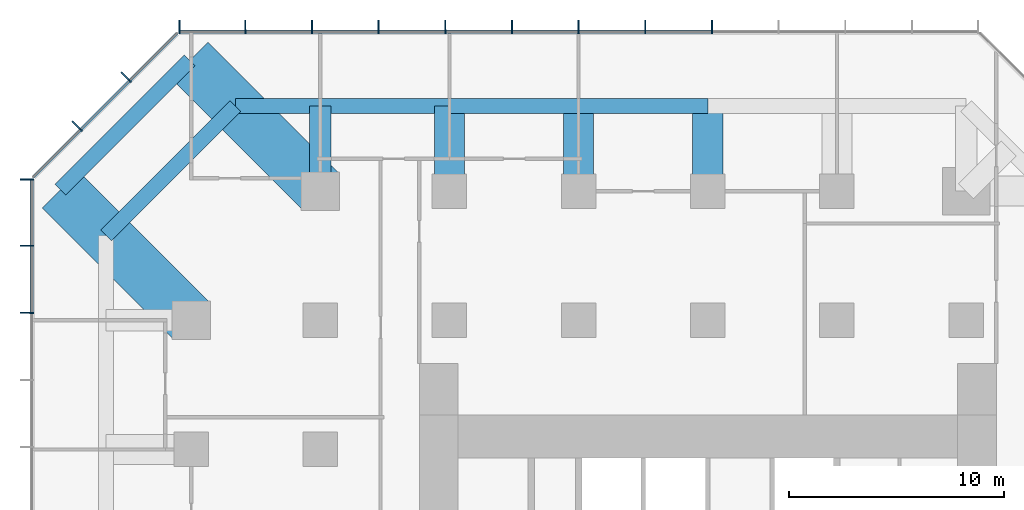
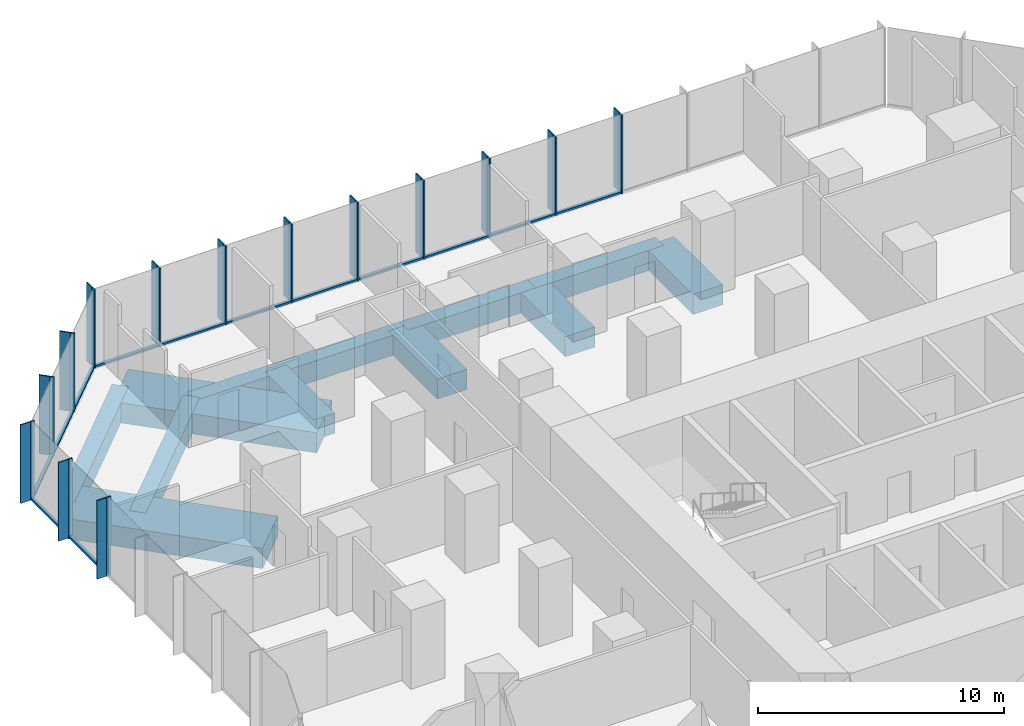
# One storey, part 5 of 11: 41 members, 11 beams, 3 elements without a shape of their own.
"""IFC4 building model written with IfcOpenShell, lengths in metres."""

from ifc_helpers import new_model, si_unit, direction, frame, origin, origin_2d, place, context, subcontext, project, spatial, rectangle, extrude, material, layer, layer_set, material_profile, profile_set, type_object, element, aggregate, save


model = new_model("IFC4")

# Units and contexts
model_context = context("Model", 3, precision=1e-05, world=origin(), true_north=direction((0.0, 1.0)))
body_context = subcontext(model_context, "Body", "Model", "MODEL_VIEW")
ifc_project = project(units=[si_unit("LENGTHUNIT", "METRE"), si_unit("AREAUNIT", "SQUARE_METRE"), si_unit("VOLUMEUNIT", "CUBIC_METRE"), si_unit("PLANEANGLEUNIT", "RADIAN"), si_unit("MASSUNIT", "GRAM", prefix="KILO")], contexts=[model_context])

# Site, building, storey
site_placement = place(None, origin())
site = spatial("IfcSite", under=ifc_project, at=site_placement, CompositionType="ELEMENT")
building_placement = place(site_placement, origin())
building = spatial("IfcBuilding", under=site, at=building_placement, Name="Highveld Stack Headquarters", CompositionType="ELEMENT")
storey_placement = place(building_placement, frame((0.0, 0.0, 105.5)))
storey = spatial("IfcBuildingStorey", under=building, at=storey_placement, Name="L25", CompositionType="ELEMENT", Elevation=105.5)

# Beams
ifc_material_1 = material(Name="Concrete C60/75", Category="concrete")
ifc_material_profile_1 = material_profile(ifc_material_1, rectangle(XDim=1.0, YDim=1.0, at=origin_2d()), Name="RC 1000x1000")
ifc_profile_set_1 = profile_set([ifc_material_profile_1], Name="Concrete C60/75")
beam_type_1 = type_object("IfcBeamType", Name="CANTILEVER RIB RC 1000x1000", PredefinedType="USERDEFINED", material=ifc_profile_set_1)
beam_1_placement = place(storey_placement, frame((-12.0, 24.0, -0.75), z_axis=(0.0, 1.0, 0.0), x_axis=(-1.0, 0.0, 0.0)))
element("IfcBeam", 1, at=beam_1_placement, inside=storey, type_object=beam_type_1, Name="Cantilever rib 4/J L25", ObjectType="CANTILEVER RIB", PredefinedType="USERDEFINED", context=body_context, shape_type="SweptSolid", body=[
    extrude(rectangle(XDim=1.0, YDim=1.0, at=origin_2d()), origin(), (0.0, 0.0, 1.0), 3.949951171875),
])
ifc_material_2 = material(Name="Concrete C60/75", Category="concrete")
ifc_material_profile_2 = material_profile(ifc_material_2, rectangle(XDim=1.39990234375, YDim=1.0, at=origin_2d()), Name="RC 1400x1000")
ifc_profile_set_2 = profile_set([ifc_material_profile_2], Name="Concrete C60/75")
beam_type_2 = type_object("IfcBeamType", Name="CANTILEVER RIB RC 1400x1000", PredefinedType="USERDEFINED", material=ifc_profile_set_2)
for number, where, z_axis, x_axis, name in (
    (2, (-6.0, 24.0, -0.75), (0.0, 1.0, 0.0), (-1.0, 0.0, 0.0), "Cantilever rib 5/J L25"),
    (3, (0.0, 24.0, -0.75), (0.0, 1.0, 0.0), (-1.0, 0.0, 0.0), "Cantilever rib 6/J L25"),
    (4, (6.0, 24.0, -0.75), (0.0, 1.0, 0.0), (-1.0, 0.0, 0.0), "Cantilever rib 7/J L25"),
):
    element("IfcBeam", number, at=place(storey_placement, frame(where, z_axis=z_axis, x_axis=x_axis)), inside=storey, type_object=beam_type_2, Name=name, ObjectType="CANTILEVER RIB", PredefinedType="USERDEFINED", context=body_context, shape_type="SweptSolid", body=[
        extrude(rectangle(XDim=1.39990234375, YDim=1.0, at=origin_2d()), origin(), (0.0, 0.0, 1.0), 3.949951171875),
    ])
ifc_material_3 = material(Name="Concrete C60/75", Category="concrete")
ifc_material_profile_3 = material_profile(ifc_material_3, rectangle(XDim=2.39990234375, YDim=1.0, at=origin_2d()), Name="RC 2400x1000")
ifc_profile_set_3 = profile_set([ifc_material_profile_3], Name="Concrete C60/75")
beam_type_3 = type_object("IfcBeamType", Name="CANTILEVER RIB RC 2400x1000", PredefinedType="USERDEFINED", material=ifc_profile_set_3)
for number, where, z_axis, x_axis, name in (
    (5, (-18.0, 18.0, -0.75), (-0.707106781187, 0.707106781187, 0.0), (-0.707106781187, -0.707106781187, 0.0), "Cantilever rib 3/H L25"),
    (6, (-12.0, 24.0, -0.75), (-0.707106781187, 0.707106781187, 0.0), (-0.707106781187, -0.707106781187, 0.0), "Cantilever rib 4/J L25"),
):
    element("IfcBeam", number, at=place(storey_placement, frame(where, z_axis=z_axis, x_axis=x_axis)), inside=storey, type_object=beam_type_3, Name=name, ObjectType="CANTILEVER RIB", PredefinedType="USERDEFINED", context=body_context, shape_type="SweptSolid", body=[
        extrude(rectangle(XDim=2.39990234375, YDim=1.0, at=origin_2d()), origin(), (0.0, 0.0, 1.0), 8.585693359375),
    ])

# Curtain wall, members
ifc_material_4 = material(Name="Aluminium bronze anodised", Category="aluminium")
ifc_layer_1 = layer(ifc_material_4, 0.199951171875)
ifc_layer_set_1 = layer_set([ifc_layer_1], Name="Aluminium bronze anodised")
curtain_wall_type_1 = type_object("IfcCurtainWallType", Name="CW1 TOWER UNITISED CURTAIN WALL", PredefinedType="NOTDEFINED", material=ifc_layer_set_1)
curtain_wall_1_placement = place(storey_placement, origin())
curtain_wall_1 = element("IfcCurtainWall", 7, at=curtain_wall_1_placement, inside=storey, type_object=curtain_wall_type_1, Name="Curtain wall CW1 L25 N", PredefinedType="NOTDEFINED")
ifc_material_5 = material(Name="Aluminium bronze anodised", Category="aluminium")
ifc_material_profile_4 = material_profile(ifc_material_5, rectangle(XDim=0.449951171875, YDim=0.06005859375, at=origin_2d()), Name="FIN 450x60")
ifc_profile_set_4 = profile_set([ifc_material_profile_4], Name="Aluminium bronze anodised")
member_type_1 = type_object("IfcMemberType", Name="CW1 BRONZE FIN 450x60", PredefinedType="USERDEFINED", material=ifc_profile_set_4)
member_1_placement = place(storey_placement, frame((6.193359375, 31.72509765625, 0.0), z_axis=(0.0, 0.0, 1.0), x_axis=(0.0, -1.0, 0.0)))
member_1 = element("IfcMember", 8, at=member_1_placement, type_object=member_type_1, Name="CW1 fin L25 5", ObjectType="FIN", PredefinedType="USERDEFINED", context=body_context, shape_type="SweptSolid", body=[
    extrude(rectangle(XDim=0.449951171875, YDim=0.06005859375, at=origin_2d()), origin(), (0.0, 0.0, 1.0), 3.89990234375),
])
member_2_placement = place(storey_placement, frame((3.0966796875, 31.72509765625, 0.0), z_axis=(0.0, 0.0, 1.0), x_axis=(0.0, -1.0, 0.0)))
member_2 = element("IfcMember", 9, at=member_2_placement, type_object=member_type_1, Name="CW1 fin L25 6", ObjectType="FIN", PredefinedType="USERDEFINED", context=body_context, shape_type="SweptSolid", body=[
    extrude(rectangle(XDim=0.449951171875, YDim=0.06005859375, at=origin_2d()), origin(), (0.0, 0.0, 1.0), 3.89990234375),
])
member_3_placement = place(storey_placement, frame((0.0, 31.72509765625, 0.0), z_axis=(0.0, 0.0, 1.0), x_axis=(0.0, -1.0, 0.0)))
member_3 = element("IfcMember", 10, at=member_3_placement, type_object=member_type_1, Name="CW1 fin L25 7", ObjectType="FIN", PredefinedType="USERDEFINED", context=body_context, shape_type="SweptSolid", body=[
    extrude(rectangle(XDim=0.449951171875, YDim=0.06005859375, at=origin_2d()), origin(), (0.0, 0.0, 1.0), 3.89990234375),
])
member_4_placement = place(storey_placement, frame((-3.0966796875, 31.72509765625, 0.0), z_axis=(0.0, 0.0, 1.0), x_axis=(0.0, -1.0, 0.0)))
member_4 = element("IfcMember", 11, at=member_4_placement, type_object=member_type_1, Name="CW1 fin L25 8", ObjectType="FIN", PredefinedType="USERDEFINED", context=body_context, shape_type="SweptSolid", body=[
    extrude(rectangle(XDim=0.449951171875, YDim=0.06005859375, at=origin_2d()), origin(), (0.0, 0.0, 1.0), 3.89990234375),
])
member_5_placement = place(storey_placement, frame((-6.193359375, 31.72509765625, 0.0), z_axis=(0.0, 0.0, 1.0), x_axis=(0.0, -1.0, 0.0)))
member_5 = element("IfcMember", 12, at=member_5_placement, type_object=member_type_1, Name="CW1 fin L25 9", ObjectType="FIN", PredefinedType="USERDEFINED", context=body_context, shape_type="SweptSolid", body=[
    extrude(rectangle(XDim=0.449951171875, YDim=0.06005859375, at=origin_2d()), origin(), (0.0, 0.0, 1.0), 3.89990234375),
])
member_6_placement = place(storey_placement, frame((-9.2900390625, 31.72509765625, 0.0), z_axis=(0.0, 0.0, 1.0), x_axis=(0.0, -1.0, 0.0)))
member_6 = element("IfcMember", 13, at=member_6_placement, type_object=member_type_1, Name="CW1 fin L25 10", ObjectType="FIN", PredefinedType="USERDEFINED", context=body_context, shape_type="SweptSolid", body=[
    extrude(rectangle(XDim=0.449951171875, YDim=0.06005859375, at=origin_2d()), origin(), (0.0, 0.0, 1.0), 3.89990234375),
])
member_7_placement = place(storey_placement, frame((-12.38671875, 31.72509765625, 0.0), z_axis=(0.0, 0.0, 1.0), x_axis=(0.0, -1.0, 0.0)))
member_7 = element("IfcMember", 14, at=member_7_placement, type_object=member_type_1, Name="CW1 fin L25 11", ObjectType="FIN", PredefinedType="USERDEFINED", context=body_context, shape_type="SweptSolid", body=[
    extrude(rectangle(XDim=0.449951171875, YDim=0.06005859375, at=origin_2d()), origin(), (0.0, 0.0, 1.0), 3.89990234375),
])
member_8_placement = place(storey_placement, frame((-15.4833984375, 31.72509765625, 0.0), z_axis=(0.0, 0.0, 1.0), x_axis=(0.0, -1.0, 0.0)))
member_8 = element("IfcMember", 15, at=member_8_placement, type_object=member_type_1, Name="CW1 fin L25 12", ObjectType="FIN", PredefinedType="USERDEFINED", context=body_context, shape_type="SweptSolid", body=[
    extrude(rectangle(XDim=0.449951171875, YDim=0.06005859375, at=origin_2d()), origin(), (0.0, 0.0, 1.0), 3.89990234375),
])
member_9_placement = place(storey_placement, frame((-18.54736328125, 31.72509765625, 0.0), z_axis=(0.0, 0.0, 1.0), x_axis=(0.0, -1.0, 0.0)))
member_9 = element("IfcMember", 16, at=member_9_placement, type_object=member_type_1, Name="CW1 fin L25 13", ObjectType="FIN", PredefinedType="USERDEFINED", context=body_context, shape_type="SweptSolid", body=[
    extrude(rectangle(XDim=0.449951171875, YDim=0.06005859375, at=origin_2d()), origin(), (0.0, 0.0, 1.0), 3.89990234375),
])

curtain_wall_2_placement = place(storey_placement, origin())
curtain_wall_2 = element("IfcCurtainWall", 17, at=curtain_wall_2_placement, inside=storey, type_object=curtain_wall_type_1, Name="Curtain wall CW1 L25 W", PredefinedType="NOTDEFINED")
member_10_placement = place(storey_placement, frame((-25.72509765625, 24.54736328125, 0.0), z_axis=(0.0, 0.0, 1.0), x_axis=(1.0, 0.0, 0.0)))
member_10 = element("IfcMember", 18, at=member_10_placement, type_object=member_type_1, Name="CW1 fin L25 1", ObjectType="FIN", PredefinedType="USERDEFINED", context=body_context, shape_type="SweptSolid", body=[
    extrude(rectangle(XDim=0.449951171875, YDim=0.06005859375, at=origin_2d()), origin(), (0.0, 0.0, 1.0), 3.89990234375),
])
member_11_placement = place(storey_placement, frame((-25.72509765625, 21.4638671875, 0.0), z_axis=(0.0, 0.0, 1.0), x_axis=(1.0, 0.0, 0.0)))
member_11 = element("IfcMember", 19, at=member_11_placement, type_object=member_type_1, Name="CW1 fin L25 2", ObjectType="FIN", PredefinedType="USERDEFINED", context=body_context, shape_type="SweptSolid", body=[
    extrude(rectangle(XDim=0.449951171875, YDim=0.06005859375, at=origin_2d()), origin(), (0.0, 0.0, 1.0), 3.89990234375),
])
member_12_placement = place(storey_placement, frame((-25.72509765625, 18.347900390625, 0.0), z_axis=(0.0, 0.0, 1.0), x_axis=(1.0, 0.0, 0.0)))
member_12 = element("IfcMember", 20, at=member_12_placement, type_object=member_type_1, Name="CW1 fin L25 3", ObjectType="FIN", PredefinedType="USERDEFINED", context=body_context, shape_type="SweptSolid", body=[
    extrude(rectangle(XDim=0.449951171875, YDim=0.06005859375, at=origin_2d()), origin(), (0.0, 0.0, 1.0), 3.89990234375),
])

# Member
ifc_material_6 = material(Name="Aluminium bronze anodised", Category="aluminium")
ifc_material_profile_5 = material_profile(ifc_material_6, rectangle(XDim=0.199951171875, YDim=0.06494140625, at=origin_2d()), Name="CW1 MULLION 65x200")
ifc_profile_set_5 = profile_set([ifc_material_profile_5], Name="Aluminium bronze anodised")
member_type_2 = type_object("IfcMemberType", Name="CW1 MULLION 65x200", PredefinedType="MULLION", material=ifc_profile_set_5)
member_13_placement = place(storey_placement, frame((6.193359375, 31.39990234375, 0.0), z_axis=(0.0, 0.0, 1.0), x_axis=(0.0, -1.0, 0.0)))
member_13 = element("IfcMember", 21, at=member_13_placement, type_object=member_type_2, Name="CW1 mullion L25 5", PredefinedType="MULLION", context=body_context, shape_type="SweptSolid", body=[
    extrude(rectangle(XDim=0.199951171875, YDim=0.06494140625, at=origin_2d()), origin(), (0.0, 0.0, 1.0), 3.89990234375),
])

member_14_placement = place(storey_placement, frame((3.0966796875, 31.39990234375, 0.0), z_axis=(0.0, 0.0, 1.0), x_axis=(0.0, -1.0, 0.0)))
member_14 = element("IfcMember", 22, at=member_14_placement, type_object=member_type_2, Name="CW1 mullion L25 6", PredefinedType="MULLION", context=body_context, shape_type="SweptSolid", body=[
    extrude(rectangle(XDim=0.199951171875, YDim=0.06494140625, at=origin_2d()), origin(), (0.0, 0.0, 1.0), 3.89990234375),
])

member_15_placement = place(storey_placement, frame((0.0, 31.39990234375, 0.0), z_axis=(0.0, 0.0, 1.0), x_axis=(0.0, -1.0, 0.0)))
member_15 = element("IfcMember", 23, at=member_15_placement, type_object=member_type_2, Name="CW1 mullion L25 7", PredefinedType="MULLION", context=body_context, shape_type="SweptSolid", body=[
    extrude(rectangle(XDim=0.199951171875, YDim=0.06494140625, at=origin_2d()), origin(), (0.0, 0.0, 1.0), 3.89990234375),
])

member_16_placement = place(storey_placement, frame((-3.0966796875, 31.39990234375, 0.0), z_axis=(0.0, 0.0, 1.0), x_axis=(0.0, -1.0, 0.0)))
member_16 = element("IfcMember", 24, at=member_16_placement, type_object=member_type_2, Name="CW1 mullion L25 8", PredefinedType="MULLION", context=body_context, shape_type="SweptSolid", body=[
    extrude(rectangle(XDim=0.199951171875, YDim=0.06494140625, at=origin_2d()), origin(), (0.0, 0.0, 1.0), 3.89990234375),
])

member_17_placement = place(storey_placement, frame((-6.193359375, 31.39990234375, 0.0), z_axis=(0.0, 0.0, 1.0), x_axis=(0.0, -1.0, 0.0)))
member_17 = element("IfcMember", 25, at=member_17_placement, type_object=member_type_2, Name="CW1 mullion L25 9", PredefinedType="MULLION", context=body_context, shape_type="SweptSolid", body=[
    extrude(rectangle(XDim=0.199951171875, YDim=0.06494140625, at=origin_2d()), origin(), (0.0, 0.0, 1.0), 3.89990234375),
])

member_18_placement = place(storey_placement, frame((-9.2900390625, 31.39990234375, 0.0), z_axis=(0.0, 0.0, 1.0), x_axis=(0.0, -1.0, 0.0)))
member_18 = element("IfcMember", 26, at=member_18_placement, type_object=member_type_2, Name="CW1 mullion L25 10", PredefinedType="MULLION", context=body_context, shape_type="SweptSolid", body=[
    extrude(rectangle(XDim=0.199951171875, YDim=0.06494140625, at=origin_2d()), origin(), (0.0, 0.0, 1.0), 3.89990234375),
])

member_19_placement = place(storey_placement, frame((-12.38671875, 31.39990234375, 0.0), z_axis=(0.0, 0.0, 1.0), x_axis=(0.0, -1.0, 0.0)))
member_19 = element("IfcMember", 27, at=member_19_placement, type_object=member_type_2, Name="CW1 mullion L25 11", PredefinedType="MULLION", context=body_context, shape_type="SweptSolid", body=[
    extrude(rectangle(XDim=0.199951171875, YDim=0.06494140625, at=origin_2d()), origin(), (0.0, 0.0, 1.0), 3.89990234375),
])

member_20_placement = place(storey_placement, frame((-15.4833984375, 31.39990234375, 0.0), z_axis=(0.0, 0.0, 1.0), x_axis=(0.0, -1.0, 0.0)))
member_20 = element("IfcMember", 28, at=member_20_placement, type_object=member_type_2, Name="CW1 mullion L25 12", PredefinedType="MULLION", context=body_context, shape_type="SweptSolid", body=[
    extrude(rectangle(XDim=0.199951171875, YDim=0.06494140625, at=origin_2d()), origin(), (0.0, 0.0, 1.0), 3.89990234375),
])

member_21_placement = place(storey_placement, frame((-18.54736328125, 31.39990234375, 0.0), z_axis=(0.0, 0.0, 1.0), x_axis=(0.0, -1.0, 0.0)))
member_21 = element("IfcMember", 29, at=member_21_placement, type_object=member_type_2, Name="CW1 mullion L25 13", PredefinedType="MULLION", context=body_context, shape_type="SweptSolid", body=[
    extrude(rectangle(XDim=0.199951171875, YDim=0.06494140625, at=origin_2d()), origin(), (0.0, 0.0, 1.0), 3.89990234375),
])

member_22_placement = place(storey_placement, frame((-25.39990234375, 24.54736328125, 0.0), z_axis=(0.0, 0.0, 1.0), x_axis=(1.0, 0.0, 0.0)))
member_22 = element("IfcMember", 30, at=member_22_placement, type_object=member_type_2, Name="CW1 mullion L25 1", PredefinedType="MULLION", context=body_context, shape_type="SweptSolid", body=[
    extrude(rectangle(XDim=0.199951171875, YDim=0.06494140625, at=origin_2d()), origin(), (0.0, 0.0, 1.0), 3.89990234375),
])

member_23_placement = place(storey_placement, frame((-25.39990234375, 21.4638671875, 0.0), z_axis=(0.0, 0.0, 1.0), x_axis=(1.0, 0.0, 0.0)))
member_23 = element("IfcMember", 31, at=member_23_placement, type_object=member_type_2, Name="CW1 mullion L25 2", PredefinedType="MULLION", context=body_context, shape_type="SweptSolid", body=[
    extrude(rectangle(XDim=0.199951171875, YDim=0.06494140625, at=origin_2d()), origin(), (0.0, 0.0, 1.0), 3.89990234375),
])

member_24_placement = place(storey_placement, frame((-25.39990234375, 18.347900390625, 0.0), z_axis=(0.0, 0.0, 1.0), x_axis=(1.0, 0.0, 0.0)))
member_24 = element("IfcMember", 32, at=member_24_placement, type_object=member_type_2, Name="CW1 mullion L25 3", PredefinedType="MULLION", context=body_context, shape_type="SweptSolid", body=[
    extrude(rectangle(XDim=0.199951171875, YDim=0.06494140625, at=origin_2d()), origin(), (0.0, 0.0, 1.0), 3.89990234375),
])

ifc_material_7 = material(Name="Aluminium bronze anodised", Category="aluminium")
ifc_material_profile_6 = material_profile(ifc_material_7, rectangle(XDim=0.14990234375, YDim=0.10009765625, at=origin_2d()), Name="CW1 TRANSOM 150x100")
ifc_profile_set_6 = profile_set([ifc_material_profile_6], Name="Aluminium bronze anodised")
member_type_3 = type_object("IfcMemberType", Name="CW1 STACK TRANSOM 150x100", PredefinedType="USERDEFINED", material=ifc_profile_set_6)
member_25_placement = place(storey_placement, frame((6.160888671875, 31.39990234375, 0.050048828125), z_axis=(-1.0, 0.0, 0.0), x_axis=(0.0, -1.0, 0.0)))
member_25 = element("IfcMember", 33, at=member_25_placement, type_object=member_type_3, Name="CW1 transom L25 5.1", ObjectType="TRANSOM", PredefinedType="USERDEFINED", context=body_context, shape_type="SweptSolid", body=[
    extrude(rectangle(XDim=0.14990234375, YDim=0.10009765625, at=origin_2d()), origin(), (0.0, 0.0, 1.0), 3.03173828125),
])

member_26_placement = place(storey_placement, frame((3.064208984375, 31.39990234375, 0.050048828125), z_axis=(-1.0, 0.0, 0.0), x_axis=(0.0, -1.0, 0.0)))
member_26 = element("IfcMember", 34, at=member_26_placement, type_object=member_type_3, Name="CW1 transom L25 6.1", ObjectType="TRANSOM", PredefinedType="USERDEFINED", context=body_context, shape_type="SweptSolid", body=[
    extrude(rectangle(XDim=0.14990234375, YDim=0.10009765625, at=origin_2d()), origin(), (0.0, 0.0, 1.0), 3.03173828125),
])

member_27_placement = place(storey_placement, frame((-0.032470703125, 31.39990234375, 0.050048828125), z_axis=(-1.0, 0.0, 0.0), x_axis=(0.0, -1.0, 0.0)))
member_27 = element("IfcMember", 35, at=member_27_placement, type_object=member_type_3, Name="CW1 transom L25 7.1", ObjectType="TRANSOM", PredefinedType="USERDEFINED", context=body_context, shape_type="SweptSolid", body=[
    extrude(rectangle(XDim=0.14990234375, YDim=0.10009765625, at=origin_2d()), origin(), (0.0, 0.0, 1.0), 3.03173828125),
])

member_28_placement = place(storey_placement, frame((-3.129150390625, 31.39990234375, 0.050048828125), z_axis=(-1.0, 0.0, 0.0), x_axis=(0.0, -1.0, 0.0)))
member_28 = element("IfcMember", 36, at=member_28_placement, type_object=member_type_3, Name="CW1 transom L25 8.1", ObjectType="TRANSOM", PredefinedType="USERDEFINED", context=body_context, shape_type="SweptSolid", body=[
    extrude(rectangle(XDim=0.14990234375, YDim=0.10009765625, at=origin_2d()), origin(), (0.0, 0.0, 1.0), 3.03173828125),
])

member_29_placement = place(storey_placement, frame((-6.225830078125, 31.39990234375, 0.050048828125), z_axis=(-1.0, 0.0, 0.0), x_axis=(0.0, -1.0, 0.0)))
member_29 = element("IfcMember", 37, at=member_29_placement, type_object=member_type_3, Name="CW1 transom L25 9.1", ObjectType="TRANSOM", PredefinedType="USERDEFINED", context=body_context, shape_type="SweptSolid", body=[
    extrude(rectangle(XDim=0.14990234375, YDim=0.10009765625, at=origin_2d()), origin(), (0.0, 0.0, 1.0), 3.03173828125),
])

member_30_placement = place(storey_placement, frame((-9.322509765625, 31.39990234375, 0.050048828125), z_axis=(-1.0, 0.0, 0.0), x_axis=(0.0, -1.0, 0.0)))
member_30 = element("IfcMember", 38, at=member_30_placement, type_object=member_type_3, Name="CW1 transom L25 10.1", ObjectType="TRANSOM", PredefinedType="USERDEFINED", context=body_context, shape_type="SweptSolid", body=[
    extrude(rectangle(XDim=0.14990234375, YDim=0.10009765625, at=origin_2d()), origin(), (0.0, 0.0, 1.0), 3.031494140625),
])

member_31_placement = place(storey_placement, frame((-12.419189453125, 31.39990234375, 0.050048828125), z_axis=(-1.0, 0.0, 0.0), x_axis=(0.0, -1.0, 0.0)))
member_31 = element("IfcMember", 39, at=member_31_placement, type_object=member_type_3, Name="CW1 transom L25 11.1", ObjectType="TRANSOM", PredefinedType="USERDEFINED", context=body_context, shape_type="SweptSolid", body=[
    extrude(rectangle(XDim=0.14990234375, YDim=0.10009765625, at=origin_2d()), origin(), (0.0, 0.0, 1.0), 3.031494140625),
])

member_32_placement = place(storey_placement, frame((-15.515869140625, 31.39990234375, 0.050048828125), z_axis=(-1.0, 0.0, 0.0), x_axis=(0.0, -1.0, 0.0)))
member_32 = element("IfcMember", 40, at=member_32_placement, type_object=member_type_3, Name="CW1 transom L25 12.1", ObjectType="TRANSOM", PredefinedType="USERDEFINED", context=body_context, shape_type="SweptSolid", body=[
    extrude(rectangle(XDim=0.14990234375, YDim=0.10009765625, at=origin_2d()), origin(), (0.0, 0.0, 1.0), 2.9990234375),
])

aggregate(curtain_wall_1, [member_13, member_1, member_14, member_2, member_15, member_3, member_16, member_4, member_17, member_5, member_18, member_6, member_19, member_7, member_20, member_8, member_21, member_9, member_25, member_26, member_27, member_28, member_29, member_30, member_31, member_32])

member_33_placement = place(storey_placement, frame((-25.39990234375, 24.514892578125, 0.050048828125), z_axis=(0.0, -1.0, 0.0), x_axis=(1.0, 0.0, 0.0)))
member_33 = element("IfcMember", 41, at=member_33_placement, type_object=member_type_3, Name="CW1 transom L25 1.1", ObjectType="TRANSOM", PredefinedType="USERDEFINED", context=body_context, shape_type="SweptSolid", body=[
    extrude(rectangle(XDim=0.14990234375, YDim=0.10009765625, at=origin_2d()), origin(), (0.0, 0.0, 1.0), 3.0185546875),
])

member_34_placement = place(storey_placement, frame((-25.39990234375, 21.431396484375, 0.050048828125), z_axis=(0.0, -1.0, 0.0), x_axis=(1.0, 0.0, 0.0)))
member_34 = element("IfcMember", 42, at=member_34_placement, type_object=member_type_3, Name="CW1 transom L25 2.1", ObjectType="TRANSOM", PredefinedType="USERDEFINED", context=body_context, shape_type="SweptSolid", body=[
    extrude(rectangle(XDim=0.14990234375, YDim=0.10009765625, at=origin_2d()), origin(), (0.0, 0.0, 1.0), 3.051025390625),
])

aggregate(curtain_wall_2, [member_22, member_10, member_23, member_11, member_24, member_12, member_33, member_34])

# Curtain wall, members
ifc_material_8 = material(Name="Aluminium bronze anodised", Category="aluminium")
ifc_layer_2 = layer(ifc_material_8, 0.199951171875)
ifc_layer_set_2 = layer_set([ifc_layer_2], Name="Aluminium bronze anodised")
curtain_wall_type_2 = type_object("IfcCurtainWallType", Name="CW2 TOWER CHAMFER UNITISED CURTAIN WALL", PredefinedType="NOTDEFINED", material=ifc_layer_set_2)
curtain_wall_3_placement = place(storey_placement, origin())
curtain_wall_3 = element("IfcCurtainWall", 43, at=curtain_wall_3_placement, inside=storey, type_object=curtain_wall_type_2, Name="Curtain wall CW2 L25 NW", PredefinedType="NOTDEFINED")
ifc_material_9 = material(Name="Aluminium bronze anodised", Category="aluminium")
ifc_material_profile_7 = material_profile(ifc_material_9, rectangle(XDim=0.449951171875, YDim=0.06005859375, at=origin_2d()), Name="FIN 450x60")
ifc_profile_set_7 = profile_set([ifc_material_profile_7], Name="Aluminium bronze anodised")
member_type_4 = type_object("IfcMemberType", Name="CW2 BRONZE FIN 450x60", PredefinedType="USERDEFINED", material=ifc_profile_set_7)
member_35_placement = place(storey_placement, frame((-21.0830078125, 29.3564453125, 0.0), z_axis=(0.0, 0.0, 1.0), x_axis=(0.707106781187, -0.707106781187, 0.0)))
member_35 = element("IfcMember", 44, at=member_35_placement, type_object=member_type_4, Name="CW2 fin L25 1", ObjectType="FIN", PredefinedType="USERDEFINED", context=body_context, shape_type="SweptSolid", body=[
    extrude(rectangle(XDim=0.449951171875, YDim=0.06005859375, at=origin_2d()), origin(), (0.0, 0.0, 1.0), 3.89990234375),
])
member_36_placement = place(storey_placement, frame((-23.3564453125, 27.0830078125, 0.0), z_axis=(0.0, 0.0, 1.0), x_axis=(0.707106781187, -0.707106781187, 0.0)))
member_36 = element("IfcMember", 45, at=member_36_placement, type_object=member_type_4, Name="CW2 fin L25 2", ObjectType="FIN", PredefinedType="USERDEFINED", context=body_context, shape_type="SweptSolid", body=[
    extrude(rectangle(XDim=0.449951171875, YDim=0.06005859375, at=origin_2d()), origin(), (0.0, 0.0, 1.0), 3.89990234375),
])
ifc_material_10 = material(Name="Aluminium bronze anodised", Category="aluminium")
ifc_material_profile_8 = material_profile(ifc_material_10, rectangle(XDim=0.199951171875, YDim=0.06494140625, at=origin_2d()), Name="CW2 MULLION 65x200")
ifc_profile_set_8 = profile_set([ifc_material_profile_8], Name="Aluminium bronze anodised")
member_type_5 = type_object("IfcMemberType", Name="CW2 MULLION 65x200", PredefinedType="MULLION", material=ifc_profile_set_8)
member_37_placement = place(storey_placement, frame((-20.853271484375, 29.126708984375, 0.0), z_axis=(0.0, 0.0, 1.0), x_axis=(0.707106781187, -0.707106781187, 0.0)))
member_37 = element("IfcMember", 46, at=member_37_placement, type_object=member_type_5, Name="CW2 mullion L25 1", PredefinedType="MULLION", context=body_context, shape_type="SweptSolid", body=[
    extrude(rectangle(XDim=0.199951171875, YDim=0.06494140625, at=origin_2d()), origin(), (0.0, 0.0, 1.0), 3.89990234375),
])
member_38_placement = place(storey_placement, frame((-23.126708984375, 26.853271484375, 0.0), z_axis=(0.0, 0.0, 1.0), x_axis=(0.707106781187, -0.707106781187, 0.0)))
member_38 = element("IfcMember", 47, at=member_38_placement, type_object=member_type_5, Name="CW2 mullion L25 2", PredefinedType="MULLION", context=body_context, shape_type="SweptSolid", body=[
    extrude(rectangle(XDim=0.199951171875, YDim=0.06494140625, at=origin_2d()), origin(), (0.0, 0.0, 1.0), 3.89990234375),
])
ifc_material_11 = material(Name="Aluminium bronze anodised", Category="aluminium")
ifc_material_profile_9 = material_profile(ifc_material_11, rectangle(XDim=0.14990234375, YDim=0.10009765625, at=origin_2d()), Name="CW2 TRANSOM 150x100")
ifc_profile_set_9 = profile_set([ifc_material_profile_9], Name="Aluminium bronze anodised")
member_type_6 = type_object("IfcMemberType", Name="CW2 STACK TRANSOM 150x100", PredefinedType="USERDEFINED", material=ifc_profile_set_9)
member_39_placement = place(storey_placement, frame((-18.650634765625, 31.329345703125, 0.050048828125), z_axis=(-0.707106781187, -0.707106781187, 0.0), x_axis=(0.707106781187, -0.707106781187, 0.0)))
member_39 = element("IfcMember", 48, at=member_39_placement, type_object=member_type_6, Name="CW2 transom L25 1.1", ObjectType="TRANSOM", PredefinedType="USERDEFINED", context=body_context, shape_type="SweptSolid", body=[
    extrude(rectangle(XDim=0.14990234375, YDim=0.10009765625, at=origin_2d()), origin(), (0.0, 0.0, 1.0), 3.08251953125),
])
member_40_placement = place(storey_placement, frame((-20.876220703125, 29.103759765625, 0.050048828125), z_axis=(-0.707106781187, -0.707106781187, 0.0), x_axis=(0.707106781187, -0.707106781187, 0.0)))
member_40 = element("IfcMember", 49, at=member_40_placement, type_object=member_type_6, Name="CW2 transom L25 2.1", ObjectType="TRANSOM", PredefinedType="USERDEFINED", context=body_context, shape_type="SweptSolid", body=[
    extrude(rectangle(XDim=0.14990234375, YDim=0.10009765625, at=origin_2d()), origin(), (0.0, 0.0, 1.0), 3.150146484375),
])
member_41_placement = place(storey_placement, frame((-23.149658203125, 26.830322265625, 0.050048828125), z_axis=(-0.707106781187, -0.707106781187, 0.0), x_axis=(0.707106781187, -0.707106781187, 0.0)))
member_41 = element("IfcMember", 50, at=member_41_placement, type_object=member_type_6, Name="CW2 transom L25 3.1", ObjectType="TRANSOM", PredefinedType="USERDEFINED", context=body_context, shape_type="SweptSolid", body=[
    extrude(rectangle(XDim=0.14990234375, YDim=0.10009765625, at=origin_2d()), origin(), (0.0, 0.0, 1.0), 3.08251953125),
])
aggregate(curtain_wall_3, [member_37, member_35, member_38, member_36, member_39, member_40, member_41])

# Beams
ifc_material_12 = material(Name="Concrete C60/75", Category="concrete")
ifc_material_profile_10 = material_profile(ifc_material_12, rectangle(XDim=0.699951171875, YDim=1.0, at=origin_2d()), Name="RC 700x1000")
ifc_profile_set_10 = profile_set([ifc_material_profile_10], Name="Concrete C60/75")
beam_type_4 = type_object("IfcBeamType", Name="RIB TIP BEAM RC 700x1000", PredefinedType="SPANDREL", material=ifc_profile_set_10)
beam_2_placement = place(storey_placement, frame((-15.949951171875, 27.949951171875, -0.75), z_axis=(1.0, 0.0, 0.0), x_axis=(0.0, 1.0, 0.0)))
element("IfcBeam", 51, at=beam_2_placement, inside=storey, type_object=beam_type_4, Name="Rib tip beam 4/J to 5/J L25", PredefinedType="SPANDREL", context=body_context, shape_type="SweptSolid", body=[
    extrude(rectangle(XDim=0.699951171875, YDim=1.0, at=origin_2d()), origin(), (0.0, 0.0, 1.0), 9.949951171875),
])
for number, where, z_axis, x_axis, name in (
    (52, (-6.0, 27.949951171875, -0.75), (1.0, 0.0, 0.0), (0.0, 1.0, 0.0), "Rib tip beam 5/J to 6/J L25"),
    (53, (0.0, 27.949951171875, -0.75), (1.0, 0.0, 0.0), (0.0, 1.0, 0.0), "Rib tip beam 6/J to 7/J L25"),
):
    element("IfcBeam", number, at=place(storey_placement, frame(where, z_axis=z_axis, x_axis=x_axis)), inside=storey, type_object=beam_type_4, Name=name, PredefinedType="SPANDREL", context=body_context, shape_type="SweptSolid", body=[
        extrude(rectangle(XDim=0.699951171875, YDim=1.0, at=origin_2d()), origin(), (0.0, 0.0, 1.0), 6.0),
    ])
for number, where, z_axis, x_axis, name in (
    (54, (-21.949951171875, 21.949951171875, -0.75), (0.707106781187, 0.707106781187, 0.0), (-0.707106781187, 0.707106781187, 0.0), "Rib tip beam 3/H to 4/J chamfer L25"),
    (55, (-24.071044921875, 24.071044921875, -0.75), (0.707106781187, 0.707106781187, 0.0), (-0.707106781187, 0.707106781187, 0.0), "Rib tip beam 3/H to 4/J chamfer edge L25"),
):
    element("IfcBeam", number, at=place(storey_placement, frame(where, z_axis=z_axis, x_axis=x_axis)), inside=storey, type_object=beam_type_4, Name=name, PredefinedType="SPANDREL", context=body_context, shape_type="SweptSolid", body=[
        extrude(rectangle(XDim=0.699951171875, YDim=1.0, at=origin_2d()), origin(), (0.0, 0.0, 1.0), 8.4853515625),
    ])

save(model, "model.ifc")
